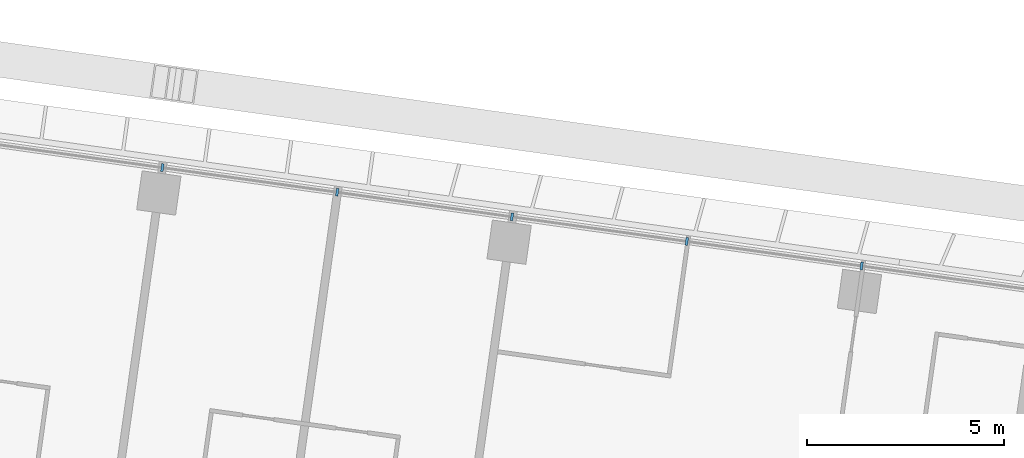
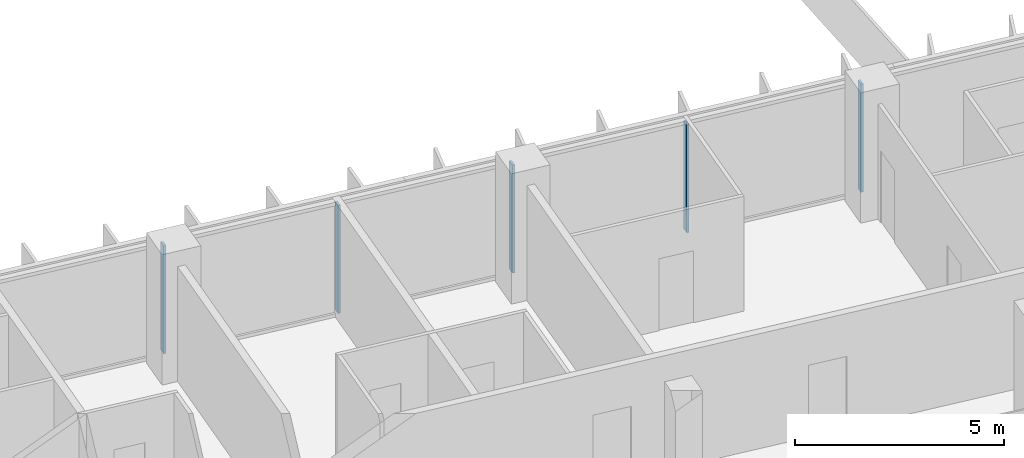
# One storey, part 12 of 49: 5 members, 1 element without a shape of its own.
"""IFC4 building model written with IfcOpenShell, lengths in metres."""

from ifc_helpers import new_model, si_unit, direction, frame, origin, origin_2d, place, context, subcontext, project, spatial, rectangle, extrude, material, material_profile, profile_set, type_object, element, aggregate, save


model = new_model("IFC4")

# Units and contexts
model_context = context("Model", 3, precision=1e-05, world=origin(), true_north=direction((0.0, 1.0)))
body_context = subcontext(model_context, "Body", "Model", "MODEL_VIEW")
ifc_project = project(units=[si_unit("LENGTHUNIT", "METRE"), si_unit("AREAUNIT", "SQUARE_METRE"), si_unit("VOLUMEUNIT", "CUBIC_METRE"), si_unit("PLANEANGLEUNIT", "RADIAN"), si_unit("MASSUNIT", "GRAM", prefix="KILO")], contexts=[model_context])

# Site, building, storey
site_placement = place(None, origin())
site = spatial("IfcSite", under=ifc_project, at=site_placement, CompositionType="ELEMENT")
building_placement = place(site_placement, origin())
building = spatial("IfcBuilding", under=site, at=building_placement, Name="Mirante Cascada Hotel Towers", CompositionType="ELEMENT")
storey_placement = place(building_placement, frame((0.0, 0.0, 66.1)))
storey = spatial("IfcBuildingStorey", under=building, at=storey_placement, Name="L13", CompositionType="ELEMENT", Elevation=66.1)

# Curtain wall, members
ifc_material_1 = material(Name="Aluminium mullion and transom frame with clear laminated glass", Category="aluminium")
curtain_wall_type = type_object("IfcCurtainWallType", Name="Ribbon curtain wall ECW1", PredefinedType="NOTDEFINED", material=ifc_material_1)
curtain_wall_placement = place(storey_placement, origin())
curtain_wall = element("IfcCurtainWall", 1, at=curtain_wall_placement, inside=storey, type_object=curtain_wall_type, Name="Front ribbon wall T1 L13", PredefinedType="NOTDEFINED")
ifc_material_2 = material(Name="Anodised aluminium extrusion", Category="aluminium")
ifc_material_profile = material_profile(ifc_material_2, rectangle(XDim=0.2, YDim=0.065, at=origin_2d()), Name="ECW1 MULLION 65x200")
ifc_profile_set = profile_set([ifc_material_profile], Name="Anodised aluminium extrusion")
member_type = type_object("IfcMemberType", Name="ECW1 mullion 65x200", PredefinedType="MULLION", material=ifc_profile_set)
member_1_placement = place(storey_placement, frame((-63.0262, 21.6768, 0.1), z_axis=(0.0, 0.0, 1.0), x_axis=(0.1391731, 0.9902681, 0.0)))
member_1 = element("IfcMember", 2, at=member_1_placement, type_object=member_type, Name="ECW1 mullion 8", PredefinedType="MULLION", context=body_context, shape_type="SweptSolid", body=[
    extrude(rectangle(XDim=0.2, YDim=0.065, at=origin_2d()), origin(), (0.0, 0.0, 1.0), 3.15),
])
member_2_placement = place(storey_placement, frame((-58.5788, 21.0517, 0.1), z_axis=(0.0, 0.0, 1.0), x_axis=(0.1391731, 0.9902681, 0.0)))
member_2 = element("IfcMember", 3, at=member_2_placement, type_object=member_type, Name="ECW1 mullion 9", PredefinedType="MULLION", context=body_context, shape_type="SweptSolid", body=[
    extrude(rectangle(XDim=0.2, YDim=0.065, at=origin_2d()), origin(), (0.0, 0.0, 1.0), 3.15),
])
member_3_placement = place(storey_placement, frame((-54.1314, 20.4267, 0.1), z_axis=(0.0, 0.0, 1.0), x_axis=(0.1391731, 0.9902681, 0.0)))
member_3 = element("IfcMember", 4, at=member_3_placement, type_object=member_type, Name="ECW1 mullion 10", PredefinedType="MULLION", context=body_context, shape_type="SweptSolid", body=[
    extrude(rectangle(XDim=0.2, YDim=0.065, at=origin_2d()), origin(), (0.0, 0.0, 1.0), 3.15),
])
member_4_placement = place(storey_placement, frame((-49.684, 19.8017, 0.1), z_axis=(0.0, 0.0, 1.0), x_axis=(0.1391731, 0.9902681, 0.0)))
member_4 = element("IfcMember", 5, at=member_4_placement, type_object=member_type, Name="ECW1 mullion 11", PredefinedType="MULLION", context=body_context, shape_type="SweptSolid", body=[
    extrude(rectangle(XDim=0.2, YDim=0.065, at=origin_2d()), origin(), (0.0, 0.0, 1.0), 3.15),
])
member_5_placement = place(storey_placement, frame((-45.2366, 19.1766, 0.1), z_axis=(0.0, 0.0, 1.0), x_axis=(0.1391731, 0.9902681, 0.0)))
member_5 = element("IfcMember", 6, at=member_5_placement, type_object=member_type, Name="ECW1 mullion 12", PredefinedType="MULLION", context=body_context, shape_type="SweptSolid", body=[
    extrude(rectangle(XDim=0.2, YDim=0.065, at=origin_2d()), origin(), (0.0, 0.0, 1.0), 3.15),
])
aggregate(curtain_wall, [member_1, member_2, member_3, member_4, member_5])

save(model, "model.ifc")
